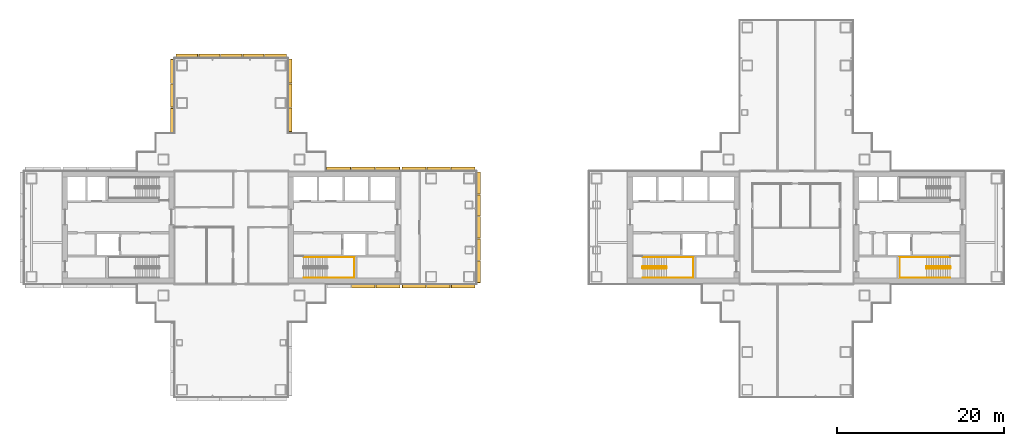
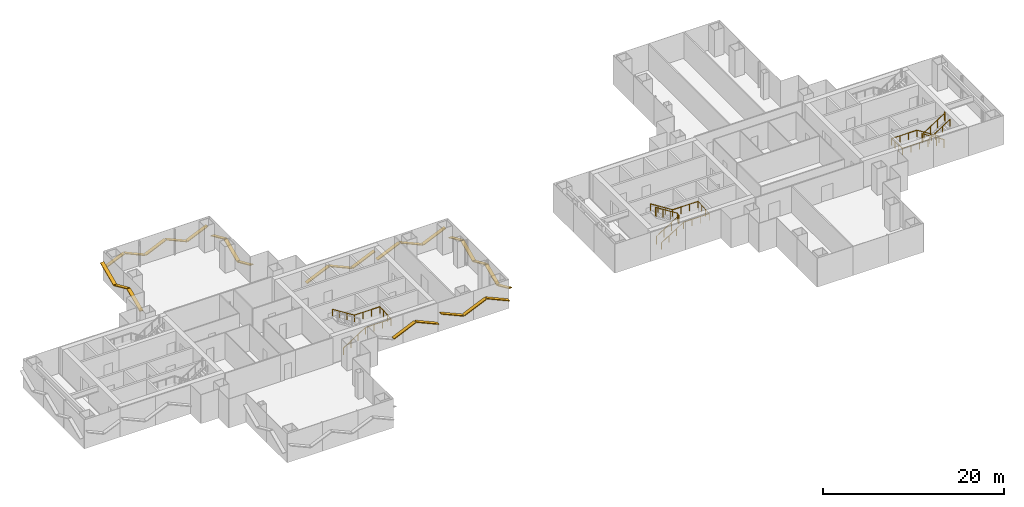
# One storey, part 17 of 18: 27 shading devices, 5 railings.
"""IFC4 building model written with IfcOpenShell, lengths in metres."""

from ifc_helpers import new_model, si_unit, direction, frame, origin, origin_2d, place, context, subcontext, project, spatial, rectangle, circle, extrude, material, material_profile, profile_set, type_object, element, save


model = new_model("IFC4")

# Units and contexts
model_context = context("Model", 3, precision=1e-05, world=origin(), true_north=direction((0.0, 1.0)))
body_context = subcontext(model_context, "Body", "Model", "MODEL_VIEW")
ifc_project = project(units=[si_unit("LENGTHUNIT", "METRE"), si_unit("AREAUNIT", "SQUARE_METRE"), si_unit("VOLUMEUNIT", "CUBIC_METRE"), si_unit("PLANEANGLEUNIT", "RADIAN"), si_unit("MASSUNIT", "GRAM", prefix="KILO")], contexts=[model_context])

# Site, building, storey
site_placement = place(None, origin())
site = spatial("IfcSite", under=ifc_project, at=site_placement, CompositionType="ELEMENT")
building_placement = place(site_placement, origin())
building = spatial("IfcBuilding", under=site, at=building_placement, Name="Shamsa Quay Exchange Towers", CompositionType="ELEMENT")
storey_placement = place(building_placement, frame((0.0, 0.0, 113.10009765625)))
storey = spatial("IfcBuildingStorey", under=building, at=storey_placement, Name="L26", CompositionType="ELEMENT", Elevation=113.10009765625)

# Shading devices
ifc_material_1 = material(Name="Aluminium EN AW-6063 T6, black anodised", Category="aluminium")
ifc_material_profile = material_profile(ifc_material_1, rectangle(XDim=0.449951171875, YDim=0.10009765625, at=origin_2d()), Name="FIN450x100")
ifc_profile_set = profile_set([ifc_material_profile], Name="Aluminium EN AW-6063 T6, black anodised")
shading_device_type = type_object("IfcShadingDeviceType", Name="FIN 450x100 BLACK ALUMINIUM", PredefinedType="USERDEFINED", material=ifc_profile_set)
shading_device_1_placement = place(storey_placement, frame((-19.374755859375, -7.01904296875, 0.9794921875), z_axis=(0.913550687431, 0.0, 0.406724896576), x_axis=(0.0, 1.0, 0.0)))
element("IfcShadingDevice", 1, at=shading_device_1_placement, inside=storey, type_object=shading_device_type, Name="FIN T1 chevron rib", ObjectType="FIN", PredefinedType="USERDEFINED", context=body_context, shape_type="SweptSolid", body=[
    extrude(rectangle(XDim=0.449951171875, YDim=0.10009765625, at=origin_2d()), origin(), (0.0, 0.0, 1.0), 3.051025390625),
])
shading_device_2_placement = place(storey_placement, frame((-16.4873046875, -7.01904296875, 2.2314453125), z_axis=(0.913558535862, 0.0, -0.406707267643), x_axis=(0.0, 1.0, 0.0)))
element("IfcShadingDevice", 2, at=shading_device_2_placement, inside=storey, type_object=shading_device_type, Name="FIN T1 chevron rib", ObjectType="FIN", PredefinedType="USERDEFINED", context=body_context, shape_type="SweptSolid", body=[
    extrude(rectangle(XDim=0.449951171875, YDim=0.10009765625, at=origin_2d()), origin(), (0.0, 0.0, 1.0), 3.10595703125),
])
shading_device_3_placement = place(storey_placement, frame((-13.35009765625, -7.014892578125, 2.234375), z_axis=(0.913533816972, 0.0, -0.406762787444), x_axis=(0.0, 1.0, 0.0)))
element("IfcShadingDevice", 3, at=shading_device_3_placement, inside=storey, type_object=shading_device_type, Name="FIN T1 chevron rib", ObjectType="FIN", PredefinedType="USERDEFINED", context=body_context, shape_type="SweptSolid", body=[
    extrude(rectangle(XDim=0.449951171875, YDim=0.10009765625, at=origin_2d()), origin(), (0.0, 0.0, 1.0), 3.119873046875),
])
shading_device_4_placement = place(storey_placement, frame((-10.39990234375, -7.014892578125, 0.9765625), z_axis=(0.913541981537, 0.0, 0.406744450447), x_axis=(0.0, 1.0, 0.0)))
element("IfcShadingDevice", 4, at=shading_device_4_placement, inside=storey, type_object=shading_device_type, Name="FIN T1 chevron rib", ObjectType="FIN", PredefinedType="USERDEFINED", context=body_context, shape_type="SweptSolid", body=[
    extrude(rectangle(XDim=0.449951171875, YDim=0.10009765625, at=origin_2d()), origin(), (0.0, 0.0, 1.0), 3.064697265625),
])
shading_device_5_placement = place(storey_placement, frame((-7.5, -7.014892578125, 2.234375), z_axis=(0.913533816972, 0.0, -0.406762787444), x_axis=(0.0, 1.0, 0.0)))
element("IfcShadingDevice", 5, at=shading_device_5_placement, inside=storey, type_object=shading_device_type, Name="FIN T1 chevron rib", ObjectType="FIN", PredefinedType="USERDEFINED", context=body_context, shape_type="SweptSolid", body=[
    extrude(rectangle(XDim=0.449951171875, YDim=0.10009765625, at=origin_2d()), origin(), (0.0, 0.0, 1.0), 3.119873046875),
])
shading_device_6_placement = place(storey_placement, frame((-4.235107421875, -6.60009765625, 2.176513671875), z_axis=(0.0, 0.91355925163, -0.406705659859), x_axis=(-1.0, 0.0, 0.0)))
element("IfcShadingDevice", 6, at=shading_device_6_placement, inside=storey, type_object=shading_device_type, Name="FIN T1 chevron rib", ObjectType="FIN", PredefinedType="USERDEFINED", context=body_context, shape_type="SweptSolid", body=[
    extrude(rectangle(XDim=0.449951171875, YDim=0.10009765625, at=origin_2d()), origin(), (0.0, 0.0, 1.0), 2.835205078125),
])
shading_device_7_placement = place(storey_placement, frame((-4.235107421875, -3.909912109375, 1.034423828125), z_axis=(0.0, 0.913536125794, 0.406757602103), x_axis=(-1.0, 0.0, 0.0)))
element("IfcShadingDevice", 7, at=shading_device_7_placement, inside=storey, type_object=shading_device_type, Name="FIN T1 chevron rib", ObjectType="FIN", PredefinedType="USERDEFINED", context=body_context, shape_type="SweptSolid", body=[
    extrude(rectangle(XDim=0.449951171875, YDim=0.10009765625, at=origin_2d()), origin(), (0.0, 0.0, 1.0), 2.7802734375),
])
shading_device_8_placement = place(storey_placement, frame((-4.235107421875, -1.27001953125, 2.165283203125), z_axis=(0.0, 0.913550653139, -0.4067249736), x_axis=(-1.0, 0.0, 0.0)))
element("IfcShadingDevice", 8, at=shading_device_8_placement, inside=storey, type_object=shading_device_type, Name="FIN T1 chevron rib", ObjectType="FIN", PredefinedType="USERDEFINED", context=body_context, shape_type="SweptSolid", body=[
    extrude(rectangle(XDim=0.449951171875, YDim=0.10009765625, at=origin_2d()), origin(), (0.0, 0.0, 1.0), 2.780517578125),
])
shading_device_9_placement = place(storey_placement, frame((-4.235107421875, 1.3701171875, 1.034423828125), z_axis=(0.0, 0.913536125794, 0.406757602103), x_axis=(-1.0, 0.0, 0.0)))
element("IfcShadingDevice", 9, at=shading_device_9_placement, inside=storey, type_object=shading_device_type, Name="FIN T1 chevron rib", ObjectType="FIN", PredefinedType="USERDEFINED", context=body_context, shape_type="SweptSolid", body=[
    extrude(rectangle(XDim=0.449951171875, YDim=0.10009765625, at=origin_2d()), origin(), (0.0, 0.0, 1.0), 2.7802734375),
])
shading_device_10_placement = place(storey_placement, frame((-4.235107421875, 4.010009765625, 2.176513671875), z_axis=(0.0, 0.91355925163, -0.406705659859), x_axis=(-1.0, 0.0, 0.0)))
element("IfcShadingDevice", 10, at=shading_device_10_placement, inside=storey, type_object=shading_device_type, Name="FIN T1 chevron rib", ObjectType="FIN", PredefinedType="USERDEFINED", context=body_context, shape_type="SweptSolid", body=[
    extrude(rectangle(XDim=0.449951171875, YDim=0.10009765625, at=origin_2d()), origin(), (0.0, 0.0, 1.0), 2.835205078125),
])
shading_device_11_placement = place(storey_placement, frame((-4.64990234375, 7.014892578125, 2.234375), z_axis=(-0.913533816972, 0.0, -0.406762787444), x_axis=(0.0, -1.0, 0.0)))
element("IfcShadingDevice", 11, at=shading_device_11_placement, inside=storey, type_object=shading_device_type, Name="FIN T1 chevron rib", ObjectType="FIN", PredefinedType="USERDEFINED", context=body_context, shape_type="SweptSolid", body=[
    extrude(rectangle(XDim=0.449951171875, YDim=0.10009765625, at=origin_2d()), origin(), (0.0, 0.0, 1.0), 3.119873046875),
])
shading_device_12_placement = place(storey_placement, frame((-7.60009765625, 7.014892578125, 0.9765625), z_axis=(-0.913541981537, 0.0, 0.406744450447), x_axis=(0.0, -1.0, 0.0)))
element("IfcShadingDevice", 12, at=shading_device_12_placement, inside=storey, type_object=shading_device_type, Name="FIN T1 chevron rib", ObjectType="FIN", PredefinedType="USERDEFINED", context=body_context, shape_type="SweptSolid", body=[
    extrude(rectangle(XDim=0.449951171875, YDim=0.10009765625, at=origin_2d()), origin(), (0.0, 0.0, 1.0), 3.064697265625),
])
for number, where, z_axis, x_axis, name in (
    (13, (-10.5, 7.014892578125, 2.234375), (-0.913533816972, 0.0, -0.406762787444), (0.0, -1.0, 0.0), "FIN T1 chevron rib"),
    (14, (-13.64990234375, 7.01904296875, 2.234375), (-0.913533816972, 0.0, -0.406762787444), (0.0, -1.0, 0.0), "FIN T1 chevron rib"),
):
    element("IfcShadingDevice", number, at=place(storey_placement, frame(where, z_axis=z_axis, x_axis=x_axis)), inside=storey, type_object=shading_device_type, Name=name, ObjectType="FIN", PredefinedType="USERDEFINED", context=body_context, shape_type="SweptSolid", body=[
        extrude(rectangle(XDim=0.449951171875, YDim=0.10009765625, at=origin_2d()), origin(), (0.0, 0.0, 1.0), 3.119873046875),
    ])
shading_device_13_placement = place(storey_placement, frame((-16.60009765625, 7.01904296875, 0.9765625), z_axis=(-0.913541981537, 0.0, 0.406744450447), x_axis=(0.0, -1.0, 0.0)))
element("IfcShadingDevice", 15, at=shading_device_13_placement, inside=storey, type_object=shading_device_type, Name="FIN T1 chevron rib", ObjectType="FIN", PredefinedType="USERDEFINED", context=body_context, shape_type="SweptSolid", body=[
    extrude(rectangle(XDim=0.449951171875, YDim=0.10009765625, at=origin_2d()), origin(), (0.0, 0.0, 1.0), 3.064697265625),
])
shading_device_14_placement = place(storey_placement, frame((-19.5, 7.01904296875, 2.234375), z_axis=(-0.913533816972, 0.0, -0.406762787444), x_axis=(0.0, -1.0, 0.0)))
element("IfcShadingDevice", 16, at=shading_device_14_placement, inside=storey, type_object=shading_device_type, Name="FIN T1 chevron rib", ObjectType="FIN", PredefinedType="USERDEFINED", context=body_context, shape_type="SweptSolid", body=[
    extrude(rectangle(XDim=0.449951171875, YDim=0.10009765625, at=origin_2d()), origin(), (0.0, 0.0, 1.0), 3.119873046875),
])
shading_device_15_placement = place(storey_placement, frame((-26.735107421875, 11.43798828125, 2.2314453125), z_axis=(0.0, 0.913558535862, -0.406707267643), x_axis=(-1.0, 0.0, 0.0)))
element("IfcShadingDevice", 17, at=shading_device_15_placement, inside=storey, type_object=shading_device_type, Name="FIN T1 chevron rib", ObjectType="FIN", PredefinedType="USERDEFINED", context=body_context, shape_type="SweptSolid", body=[
    extrude(rectangle(XDim=0.449951171875, YDim=0.10009765625, at=origin_2d()), origin(), (0.0, 0.0, 1.0), 3.10595703125),
])
shading_device_16_placement = place(storey_placement, frame((-26.735107421875, 14.375244140625, 0.9794921875), z_axis=(0.0, 0.913550687431, 0.406724896576), x_axis=(-1.0, 0.0, 0.0)))
element("IfcShadingDevice", 18, at=shading_device_16_placement, inside=storey, type_object=shading_device_type, Name="FIN T1 chevron rib", ObjectType="FIN", PredefinedType="USERDEFINED", context=body_context, shape_type="SweptSolid", body=[
    extrude(rectangle(XDim=0.449951171875, YDim=0.10009765625, at=origin_2d()), origin(), (0.0, 0.0, 1.0), 3.051025390625),
])
shading_device_17_placement = place(storey_placement, frame((-26.735107421875, 17.2626953125, 2.2314453125), z_axis=(0.0, 0.913558535862, -0.406707267643), x_axis=(-1.0, 0.0, 0.0)))
element("IfcShadingDevice", 19, at=shading_device_17_placement, inside=storey, type_object=shading_device_type, Name="FIN T1 chevron rib", ObjectType="FIN", PredefinedType="USERDEFINED", context=body_context, shape_type="SweptSolid", body=[
    extrude(rectangle(XDim=0.449951171875, YDim=0.10009765625, at=origin_2d()), origin(), (0.0, 0.0, 1.0), 3.10595703125),
])
shading_device_18_placement = place(storey_placement, frame((-27.14990234375, 20.514892578125, 2.176513671875), z_axis=(-0.91355925163, 0.0, -0.406705659859), x_axis=(0.0, -1.0, 0.0)))
element("IfcShadingDevice", 20, at=shading_device_18_placement, inside=storey, type_object=shading_device_type, Name="FIN T1 chevron rib", ObjectType="FIN", PredefinedType="USERDEFINED", context=body_context, shape_type="SweptSolid", body=[
    extrude(rectangle(XDim=0.449951171875, YDim=0.10009765625, at=origin_2d()), origin(), (0.0, 0.0, 1.0), 2.835205078125),
])
shading_device_19_placement = place(storey_placement, frame((-29.840087890625, 20.514892578125, 1.034423828125), z_axis=(-0.913536125794, 0.0, 0.406757602103), x_axis=(0.0, -1.0, 0.0)))
element("IfcShadingDevice", 21, at=shading_device_19_placement, inside=storey, type_object=shading_device_type, Name="FIN T1 chevron rib", ObjectType="FIN", PredefinedType="USERDEFINED", context=body_context, shape_type="SweptSolid", body=[
    extrude(rectangle(XDim=0.449951171875, YDim=0.10009765625, at=origin_2d()), origin(), (0.0, 0.0, 1.0), 2.7802734375),
])
shading_device_20_placement = place(storey_placement, frame((-32.47998046875, 20.514892578125, 2.165283203125), z_axis=(-0.913550653139, 0.0, -0.4067249736), x_axis=(0.0, -1.0, 0.0)))
element("IfcShadingDevice", 22, at=shading_device_20_placement, inside=storey, type_object=shading_device_type, Name="FIN T1 chevron rib", ObjectType="FIN", PredefinedType="USERDEFINED", context=body_context, shape_type="SweptSolid", body=[
    extrude(rectangle(XDim=0.449951171875, YDim=0.10009765625, at=origin_2d()), origin(), (0.0, 0.0, 1.0), 2.780517578125),
])
shading_device_21_placement = place(storey_placement, frame((-35.1201171875, 20.514892578125, 1.034423828125), z_axis=(-0.913536125794, 0.0, 0.406757602103), x_axis=(0.0, -1.0, 0.0)))
element("IfcShadingDevice", 23, at=shading_device_21_placement, inside=storey, type_object=shading_device_type, Name="FIN T1 chevron rib", ObjectType="FIN", PredefinedType="USERDEFINED", context=body_context, shape_type="SweptSolid", body=[
    extrude(rectangle(XDim=0.449951171875, YDim=0.10009765625, at=origin_2d()), origin(), (0.0, 0.0, 1.0), 2.7802734375),
])
shading_device_22_placement = place(storey_placement, frame((-37.760009765625, 20.514892578125, 2.176513671875), z_axis=(-0.91355925163, 0.0, -0.406705659859), x_axis=(0.0, -1.0, 0.0)))
element("IfcShadingDevice", 24, at=shading_device_22_placement, inside=storey, type_object=shading_device_type, Name="FIN T1 chevron rib", ObjectType="FIN", PredefinedType="USERDEFINED", context=body_context, shape_type="SweptSolid", body=[
    extrude(rectangle(XDim=0.449951171875, YDim=0.10009765625, at=origin_2d()), origin(), (0.0, 0.0, 1.0), 2.835205078125),
])
shading_device_23_placement = place(storey_placement, frame((-40.764892578125, 20.10009765625, 2.234375), z_axis=(0.0, -0.913533816972, -0.406762787444), x_axis=(1.0, 0.0, 0.0)))
element("IfcShadingDevice", 25, at=shading_device_23_placement, inside=storey, type_object=shading_device_type, Name="FIN T1 chevron rib", ObjectType="FIN", PredefinedType="USERDEFINED", context=body_context, shape_type="SweptSolid", body=[
    extrude(rectangle(XDim=0.449951171875, YDim=0.10009765625, at=origin_2d()), origin(), (0.0, 0.0, 1.0), 3.119873046875),
])
shading_device_24_placement = place(storey_placement, frame((-40.764892578125, 17.14990234375, 0.9765625), z_axis=(0.0, -0.913541981537, 0.406744450447), x_axis=(1.0, 0.0, 0.0)))
element("IfcShadingDevice", 26, at=shading_device_24_placement, inside=storey, type_object=shading_device_type, Name="FIN T1 chevron rib", ObjectType="FIN", PredefinedType="USERDEFINED", context=body_context, shape_type="SweptSolid", body=[
    extrude(rectangle(XDim=0.449951171875, YDim=0.10009765625, at=origin_2d()), origin(), (0.0, 0.0, 1.0), 3.064697265625),
])
shading_device_25_placement = place(storey_placement, frame((-40.764892578125, 14.25, 2.234375), z_axis=(0.0, -0.913533816972, -0.406762787444), x_axis=(1.0, 0.0, 0.0)))
element("IfcShadingDevice", 27, at=shading_device_25_placement, inside=storey, type_object=shading_device_type, Name="FIN T1 chevron rib", ObjectType="FIN", PredefinedType="USERDEFINED", context=body_context, shape_type="SweptSolid", body=[
    extrude(rectangle(XDim=0.449951171875, YDim=0.10009765625, at=origin_2d()), origin(), (0.0, 0.0, 1.0), 3.119873046875),
])

# Railings
ifc_material_2 = material(Name="Stainless steel", Category="steel")
railing_type_1 = type_object("IfcRailingType", Name="STAIR GUARD 1100", PredefinedType="GUARDRAIL", material=ifc_material_2)
railing_1_placement = place(storey_placement, frame((15.39990234375, -4.89990234375, 0.17724609375)))
element("IfcRailing", 28, at=railing_1_placement, inside=storey, type_object=railing_type_1, Name="L26 ST4 stair guard 1", PredefinedType="GUARDRAIL", context=body_context, shape_type="SweptSolid", body=[
    extrude(circle(Radius=0.02392578125, at=origin_2d()), frame((0.0, 0.0, 1.076171875), z_axis=(0.844908973607, 0.0, 0.534910110503), x_axis=(0.0, 1.0, 0.0)), (0.0, 0.0, 1.0), 3.31396484375),
    extrude(circle(Radius=0.02392578125, at=origin_2d()), frame((2.800048828125, 0.0, 2.8486328125), z_axis=(0.708833529934, 0.705375805398, 0.0), x_axis=(-0.705375805398, 0.708833529934, 0.0)), (0.0, 0.0, 1.0), 0.070556640625),
    extrude(circle(Radius=0.02392578125, at=origin_2d()), frame((2.85009765625, 0.0498046875, 2.8486328125), z_axis=(0.0, 1.0, 0.0), x_axis=(-1.0, 0.0, 0.0)), (0.0, 0.0, 1.0), 0.150146484375),
    extrude(circle(Radius=0.02392578125, at=origin_2d()), frame((2.85009765625, 0.199951171875, 2.8486328125), z_axis=(-0.262233686654, 0.262233686654, 0.928691007369), x_axis=(-0.707106781187, -0.707106781187, 0.0)), (0.0, 0.0, 1.0), 0.19091796875),
    extrude(circle(Radius=0.02392578125, at=origin_2d()), frame((2.800048828125, 0.25, 3.02587890625), z_axis=(-0.844908973607, 0.0, 0.534910110503), x_axis=(0.0, -1.0, 0.0)), (0.0, 0.0, 1.0), 3.31396484375),
    extrude(circle(Radius=0.02392578125, at=origin_2d()), frame((0.0, 0.25, 4.798828125), z_axis=(-0.24142163986, -0.970420317083, 0.0), x_axis=(0.970420317083, -0.24142163986, 0.0)), (0.0, 0.0, 1.0), 0.206298828125),
    extrude(circle(Radius=0.02392578125, at=origin_2d()), frame((-0.0498046875, 0.0498046875, 4.798828125), z_axis=(0.0, 1.0, 0.0), x_axis=(-1.0, 0.0, 0.0)), (0.0, 0.0, 1.0), 0.150146484375),
    extrude(circle(Radius=0.02099609375, at=origin_2d()), origin(), (0.0, 0.0, 1.0), 1.052001953125),
    extrude(circle(Radius=0.02099609375, at=origin_2d()), frame((0.933349609375, 0.0, 0.5908203125)), (0.0, 0.0, 1.0), 1.052001953125),
    extrude(circle(Radius=0.02099609375, at=origin_2d()), frame((1.86669921875, 0.0, 1.181884765625)), (0.0, 0.0, 1.0), 1.052001953125),
    extrude(circle(Radius=0.02099609375, at=origin_2d()), frame((2.800048828125, 0.0, 1.772705078125)), (0.0, 0.0, 1.0), 1.052001953125),
    extrude(circle(Radius=0.02099609375, at=origin_2d()), frame((2.85009765625, 0.0498046875, 1.772705078125)), (0.0, 0.0, 1.0), 1.052001953125),
    extrude(circle(Radius=0.02099609375, at=origin_2d()), frame((2.85009765625, 0.199951171875, 1.772705078125)), (0.0, 0.0, 1.0), 1.052001953125),
    extrude(circle(Radius=0.02099609375, at=origin_2d()), frame((2.800048828125, 0.25, 1.949951171875)), (0.0, 0.0, 1.0), 1.052001953125),
    extrude(circle(Radius=0.02099609375, at=origin_2d()), frame((1.86669921875, 0.25, 2.540771484375)), (0.0, 0.0, 1.0), 1.052001953125),
    extrude(circle(Radius=0.02099609375, at=origin_2d()), frame((0.933349609375, 0.25, 3.1318359375)), (0.0, 0.0, 1.0), 1.052001953125),
    extrude(circle(Radius=0.02099609375, at=origin_2d()), frame((0.0, 0.25, 3.72265625)), (0.0, 0.0, 1.0), 1.052001953125),
    extrude(circle(Radius=0.02099609375, at=origin_2d()), frame((-0.0498046875, 0.0498046875, 3.72265625)), (0.0, 0.0, 1.0), 1.052001953125),
    extrude(circle(Radius=0.02099609375, at=origin_2d()), frame((-0.0498046875, 0.199951171875, 3.72265625)), (0.0, 0.0, 1.0), 1.052001953125),
])
railing_2_placement = place(storey_placement, frame((52.10009765625, -4.64990234375, 0.17724609375)))
element("IfcRailing", 29, at=railing_2_placement, inside=storey, type_object=railing_type_1, Name="L26 ST5 stair guard 1", PredefinedType="GUARDRAIL", context=body_context, shape_type="SweptSolid", body=[
    extrude(circle(Radius=0.02392578125, at=origin_2d()), frame((0.0, 0.0, 1.076171875), z_axis=(-0.844908973607, 0.0, 0.534910110503), x_axis=(0.0, -1.0, 0.0)), (0.0, 0.0, 1.0), 3.31396484375),
    extrude(circle(Radius=0.02392578125, at=origin_2d()), frame((-2.800048828125, 0.0, 2.8486328125), z_axis=(-0.707106781187, -0.707106781187, 0.0), x_axis=(0.707106781187, -0.707106781187, 0.0)), (0.0, 0.0, 1.0), 0.07080078125),
    extrude(circle(Radius=0.02392578125, at=origin_2d()), frame((-2.85009765625, -0.050048828125, 2.8486328125), z_axis=(0.0, -1.0, 0.0), x_axis=(1.0, 0.0, 0.0)), (0.0, 0.0, 1.0), 0.150146484375),
    extrude(circle(Radius=0.02392578125, at=origin_2d()), frame((-2.85009765625, -0.2001953125, 2.8486328125), z_axis=(0.262321481514, -0.261041864531, 0.929001929653), x_axis=(0.705375805398, 0.708833529934, 0.0)), (0.0, 0.0, 1.0), 0.190673828125),
    extrude(circle(Radius=0.02392578125, at=origin_2d()), frame((-2.800048828125, -0.25, 3.02587890625), z_axis=(0.844908973607, 0.0, 0.534910110503), x_axis=(0.0, 1.0, 0.0)), (0.0, 0.0, 1.0), 3.31396484375),
    extrude(circle(Radius=0.02392578125, at=origin_2d()), frame((0.0, -0.25, 4.798828125), z_axis=(0.241699205484, 0.970351222016, 0.0), x_axis=(-0.970351222016, 0.241699205484, 0.0)), (0.0, 0.0, 1.0), 0.2060546875),
    extrude(circle(Radius=0.02392578125, at=origin_2d()), frame((0.0498046875, -0.050048828125, 4.798828125), z_axis=(0.0, -1.0, 0.0), x_axis=(1.0, 0.0, 0.0)), (0.0, 0.0, 1.0), 0.150146484375),
    extrude(circle(Radius=0.02099609375, at=origin_2d()), origin(), (0.0, 0.0, 1.0), 1.052001953125),
    extrude(circle(Radius=0.02099609375, at=origin_2d()), frame((-0.933349609375, 0.0, 0.5908203125)), (0.0, 0.0, 1.0), 1.052001953125),
    extrude(circle(Radius=0.02099609375, at=origin_2d()), frame((-1.86669921875, 0.0, 1.181884765625)), (0.0, 0.0, 1.0), 1.052001953125),
    extrude(circle(Radius=0.02099609375, at=origin_2d()), frame((-2.800048828125, 0.0, 1.772705078125)), (0.0, 0.0, 1.0), 1.052001953125),
    extrude(circle(Radius=0.02099609375, at=origin_2d()), frame((-2.85009765625, -0.050048828125, 1.772705078125)), (0.0, 0.0, 1.0), 1.052001953125),
    extrude(circle(Radius=0.02099609375, at=origin_2d()), frame((-2.85009765625, -0.2001953125, 1.772705078125)), (0.0, 0.0, 1.0), 1.052001953125),
    extrude(circle(Radius=0.02099609375, at=origin_2d()), frame((-2.800048828125, -0.25, 1.949951171875)), (0.0, 0.0, 1.0), 1.052001953125),
    extrude(circle(Radius=0.02099609375, at=origin_2d()), frame((-1.86669921875, -0.25, 2.540771484375)), (0.0, 0.0, 1.0), 1.052001953125),
    extrude(circle(Radius=0.02099609375, at=origin_2d()), frame((-0.933349609375, -0.25, 3.1318359375)), (0.0, 0.0, 1.0), 1.052001953125),
    extrude(circle(Radius=0.02099609375, at=origin_2d()), frame((0.0, -0.25, 3.72265625)), (0.0, 0.0, 1.0), 1.052001953125),
    extrude(circle(Radius=0.02099609375, at=origin_2d()), frame((0.0498046875, -0.050048828125, 3.72265625)), (0.0, 0.0, 1.0), 1.052001953125),
    extrude(circle(Radius=0.02099609375, at=origin_2d()), frame((0.0498046875, -0.2001953125, 3.72265625)), (0.0, 0.0, 1.0), 1.052001953125),
])
railing_type_2 = type_object("IfcRailingType", Name="STAIR HANDRAIL 900", PredefinedType="HANDRAIL", material=ifc_material_2)
railing_3_placement = place(storey_placement, frame((-25.10009765625, -6.0, 0.17724609375)))
element("IfcRailing", 30, at=railing_3_placement, inside=storey, type_object=railing_type_2, Name="L26 ST1 stair handrail 1", PredefinedType="HANDRAIL", context=body_context, shape_type="SweptSolid", body=[
    extrude(circle(Radius=0.02392578125, at=origin_2d()), frame((0.0, 0.0, 0.8759765625), z_axis=(0.844908973607, 0.0, 0.534910110503), x_axis=(0.0, 1.0, 0.0)), (0.0, 0.0, 1.0), 3.31396484375),
    extrude(circle(Radius=0.02392578125, at=origin_2d()), frame((2.800048828125, 0.0, 2.6484375), z_axis=(1.0, 0.0, 0.0), x_axis=(0.0, 1.0, 0.0)), (0.0, 0.0, 1.0), 3.25),
    extrude(circle(Radius=0.02392578125, at=origin_2d()), frame((6.050048828125, 0.0, 2.6484375), z_axis=(0.0, 0.997393199914, 0.07215819264), x_axis=(-1.0, 0.0, 0.0)), (0.0, 0.0, 1.0), 2.456298828125),
    extrude(circle(Radius=0.02392578125, at=origin_2d()), frame((6.050048828125, 2.449951171875, 2.82568359375), z_axis=(-1.0, 0.0, 0.0), x_axis=(0.0, -1.0, 0.0)), (0.0, 0.0, 1.0), 3.25),
    extrude(circle(Radius=0.02392578125, at=origin_2d()), frame((2.800048828125, 2.449951171875, 2.82568359375), z_axis=(-0.844908973607, 0.0, 0.534910110503), x_axis=(0.0, -1.0, 0.0)), (0.0, 0.0, 1.0), 3.31396484375),
    extrude(circle(Radius=0.02099609375, at=origin_2d()), origin(), (0.0, 0.0, 1.0), 0.851806640625),
    extrude(circle(Radius=0.02099609375, at=origin_2d()), frame((0.933349609375, 0.0, 0.5908203125)), (0.0, 0.0, 1.0), 0.851806640625),
    extrude(circle(Radius=0.02099609375, at=origin_2d()), frame((1.86669921875, 0.0, 1.181884765625)), (0.0, 0.0, 1.0), 0.851806640625),
    extrude(circle(Radius=0.02099609375, at=origin_2d()), frame((2.800048828125, 0.0, 1.772705078125)), (0.0, 0.0, 1.0), 0.851806640625),
    extrude(circle(Radius=0.02099609375, at=origin_2d()), frame((3.88330078125, 0.0, 1.772705078125)), (0.0, 0.0, 1.0), 0.851806640625),
    extrude(circle(Radius=0.02099609375, at=origin_2d()), frame((4.966796875, 0.0, 1.772705078125)), (0.0, 0.0, 1.0), 0.851806640625),
    extrude(circle(Radius=0.02099609375, at=origin_2d()), frame((6.050048828125, 0.0, 1.772705078125)), (0.0, 0.0, 1.0), 0.851806640625),
    extrude(circle(Radius=0.02099609375, at=origin_2d()), frame((6.050048828125, 0.816650390625, 1.831787109375)), (0.0, 0.0, 1.0), 0.851806640625),
    extrude(circle(Radius=0.02099609375, at=origin_2d()), frame((6.050048828125, 1.63330078125, 1.890869140625)), (0.0, 0.0, 1.0), 0.851806640625),
    extrude(circle(Radius=0.02099609375, at=origin_2d()), frame((6.050048828125, 2.449951171875, 1.949951171875)), (0.0, 0.0, 1.0), 0.851806640625),
    extrude(circle(Radius=0.02099609375, at=origin_2d()), frame((4.966796875, 2.449951171875, 1.949951171875)), (0.0, 0.0, 1.0), 0.851806640625),
    extrude(circle(Radius=0.02099609375, at=origin_2d()), frame((3.88330078125, 2.449951171875, 1.949951171875)), (0.0, 0.0, 1.0), 0.851806640625),
    extrude(circle(Radius=0.02099609375, at=origin_2d()), frame((2.800048828125, 2.449951171875, 1.949951171875)), (0.0, 0.0, 1.0), 0.851806640625),
    extrude(circle(Radius=0.02099609375, at=origin_2d()), frame((1.86669921875, 2.449951171875, 2.540771484375)), (0.0, 0.0, 1.0), 0.851806640625),
    extrude(circle(Radius=0.02099609375, at=origin_2d()), frame((0.933349609375, 2.449951171875, 3.1318359375)), (0.0, 0.0, 1.0), 0.851806640625),
    extrude(circle(Radius=0.02099609375, at=origin_2d()), frame((0.0, 2.449951171875, 3.72265625)), (0.0, 0.0, 1.0), 0.851806640625),
])
railing_4_placement = place(storey_placement, frame((15.39990234375, -6.0, 0.17724609375)))
element("IfcRailing", 31, at=railing_4_placement, inside=storey, type_object=railing_type_2, Name="L26 ST4 stair handrail 1", PredefinedType="HANDRAIL", context=body_context, shape_type="SweptSolid", body=[
    extrude(circle(Radius=0.02392578125, at=origin_2d()), frame((0.0, 0.0, 0.8759765625), z_axis=(0.844908973607, 0.0, 0.534910110503), x_axis=(0.0, 1.0, 0.0)), (0.0, 0.0, 1.0), 3.31396484375),
    extrude(circle(Radius=0.02392578125, at=origin_2d()), frame((2.800048828125, 0.0, 2.6484375), z_axis=(1.0, 0.0, 0.0), x_axis=(0.0, 1.0, 0.0)), (0.0, 0.0, 1.0), 3.25),
    extrude(circle(Radius=0.02392578125, at=origin_2d()), frame((6.050048828125, 0.0, 2.6484375), z_axis=(0.0, 0.997393199914, 0.07215819264), x_axis=(-1.0, 0.0, 0.0)), (0.0, 0.0, 1.0), 2.456298828125),
    extrude(circle(Radius=0.02392578125, at=origin_2d()), frame((6.050048828125, 2.449951171875, 2.82568359375), z_axis=(-1.0, 0.0, 0.0), x_axis=(0.0, -1.0, 0.0)), (0.0, 0.0, 1.0), 3.25),
    extrude(circle(Radius=0.02392578125, at=origin_2d()), frame((2.800048828125, 2.449951171875, 2.82568359375), z_axis=(-0.844908973607, 0.0, 0.534910110503), x_axis=(0.0, -1.0, 0.0)), (0.0, 0.0, 1.0), 3.31396484375),
    extrude(circle(Radius=0.02099609375, at=origin_2d()), origin(), (0.0, 0.0, 1.0), 0.851806640625),
    extrude(circle(Radius=0.02099609375, at=origin_2d()), frame((0.933349609375, 0.0, 0.5908203125)), (0.0, 0.0, 1.0), 0.851806640625),
    extrude(circle(Radius=0.02099609375, at=origin_2d()), frame((1.86669921875, 0.0, 1.181884765625)), (0.0, 0.0, 1.0), 0.851806640625),
    extrude(circle(Radius=0.02099609375, at=origin_2d()), frame((2.800048828125, 0.0, 1.772705078125)), (0.0, 0.0, 1.0), 0.851806640625),
    extrude(circle(Radius=0.02099609375, at=origin_2d()), frame((3.88330078125, 0.0, 1.772705078125)), (0.0, 0.0, 1.0), 0.851806640625),
    extrude(circle(Radius=0.02099609375, at=origin_2d()), frame((4.966796875, 0.0, 1.772705078125)), (0.0, 0.0, 1.0), 0.851806640625),
    extrude(circle(Radius=0.02099609375, at=origin_2d()), frame((6.050048828125, 0.0, 1.772705078125)), (0.0, 0.0, 1.0), 0.851806640625),
    extrude(circle(Radius=0.02099609375, at=origin_2d()), frame((6.050048828125, 0.816650390625, 1.831787109375)), (0.0, 0.0, 1.0), 0.851806640625),
    extrude(circle(Radius=0.02099609375, at=origin_2d()), frame((6.050048828125, 1.63330078125, 1.890869140625)), (0.0, 0.0, 1.0), 0.851806640625),
    extrude(circle(Radius=0.02099609375, at=origin_2d()), frame((6.050048828125, 2.449951171875, 1.949951171875)), (0.0, 0.0, 1.0), 0.851806640625),
    extrude(circle(Radius=0.02099609375, at=origin_2d()), frame((4.966796875, 2.449951171875, 1.949951171875)), (0.0, 0.0, 1.0), 0.851806640625),
    extrude(circle(Radius=0.02099609375, at=origin_2d()), frame((3.88330078125, 2.449951171875, 1.949951171875)), (0.0, 0.0, 1.0), 0.851806640625),
    extrude(circle(Radius=0.02099609375, at=origin_2d()), frame((2.800048828125, 2.449951171875, 1.949951171875)), (0.0, 0.0, 1.0), 0.851806640625),
    extrude(circle(Radius=0.02099609375, at=origin_2d()), frame((1.86669921875, 2.449951171875, 2.540771484375)), (0.0, 0.0, 1.0), 0.851806640625),
    extrude(circle(Radius=0.02099609375, at=origin_2d()), frame((0.933349609375, 2.449951171875, 3.1318359375)), (0.0, 0.0, 1.0), 0.851806640625),
    extrude(circle(Radius=0.02099609375, at=origin_2d()), frame((0.0, 2.449951171875, 3.72265625)), (0.0, 0.0, 1.0), 0.851806640625),
])
railing_5_placement = place(storey_placement, frame((52.10009765625, -3.550048828125, 0.17724609375)))
element("IfcRailing", 32, at=railing_5_placement, inside=storey, type_object=railing_type_2, Name="L26 ST5 stair handrail 1", PredefinedType="HANDRAIL", context=body_context, shape_type="SweptSolid", body=[
    extrude(circle(Radius=0.02392578125, at=origin_2d()), frame((0.0, 0.0, 0.8759765625), z_axis=(-0.844908973607, 0.0, 0.534910110503), x_axis=(0.0, -1.0, 0.0)), (0.0, 0.0, 1.0), 3.31396484375),
    extrude(circle(Radius=0.02392578125, at=origin_2d()), frame((-2.800048828125, 0.0, 2.6484375), z_axis=(-1.0, 0.0, 0.0), x_axis=(0.0, -1.0, 0.0)), (0.0, 0.0, 1.0), 3.25),
    extrude(circle(Radius=0.02392578125, at=origin_2d()), frame((-6.050048828125, 0.0, 2.6484375), z_axis=(0.0, -0.997393199914, 0.07215819264), x_axis=(1.0, 0.0, 0.0)), (0.0, 0.0, 1.0), 2.456298828125),
    extrude(circle(Radius=0.02392578125, at=origin_2d()), frame((-6.050048828125, -2.449951171875, 2.82568359375), z_axis=(1.0, 0.0, 0.0), x_axis=(0.0, 1.0, 0.0)), (0.0, 0.0, 1.0), 3.25),
    extrude(circle(Radius=0.02392578125, at=origin_2d()), frame((-2.800048828125, -2.449951171875, 2.82568359375), z_axis=(0.844908973607, 0.0, 0.534910110503), x_axis=(0.0, 1.0, 0.0)), (0.0, 0.0, 1.0), 3.31396484375),
    extrude(circle(Radius=0.02099609375, at=origin_2d()), origin(), (0.0, 0.0, 1.0), 0.851806640625),
    extrude(circle(Radius=0.02099609375, at=origin_2d()), frame((-0.933349609375, 0.0, 0.5908203125)), (0.0, 0.0, 1.0), 0.851806640625),
    extrude(circle(Radius=0.02099609375, at=origin_2d()), frame((-1.86669921875, 0.0, 1.181884765625)), (0.0, 0.0, 1.0), 0.851806640625),
    extrude(circle(Radius=0.02099609375, at=origin_2d()), frame((-2.800048828125, 0.0, 1.772705078125)), (0.0, 0.0, 1.0), 0.851806640625),
    extrude(circle(Radius=0.02099609375, at=origin_2d()), frame((-3.88330078125, 0.0, 1.772705078125)), (0.0, 0.0, 1.0), 0.851806640625),
    extrude(circle(Radius=0.02099609375, at=origin_2d()), frame((-4.966796875, 0.0, 1.772705078125)), (0.0, 0.0, 1.0), 0.851806640625),
    extrude(circle(Radius=0.02099609375, at=origin_2d()), frame((-6.050048828125, 0.0, 1.772705078125)), (0.0, 0.0, 1.0), 0.851806640625),
    extrude(circle(Radius=0.02099609375, at=origin_2d()), frame((-6.050048828125, -0.816650390625, 1.831787109375)), (0.0, 0.0, 1.0), 0.851806640625),
    extrude(circle(Radius=0.02099609375, at=origin_2d()), frame((-6.050048828125, -1.63330078125, 1.890869140625)), (0.0, 0.0, 1.0), 0.851806640625),
    extrude(circle(Radius=0.02099609375, at=origin_2d()), frame((-6.050048828125, -2.449951171875, 1.949951171875)), (0.0, 0.0, 1.0), 0.851806640625),
    extrude(circle(Radius=0.02099609375, at=origin_2d()), frame((-4.966796875, -2.449951171875, 1.949951171875)), (0.0, 0.0, 1.0), 0.851806640625),
    extrude(circle(Radius=0.02099609375, at=origin_2d()), frame((-3.88330078125, -2.449951171875, 1.949951171875)), (0.0, 0.0, 1.0), 0.851806640625),
    extrude(circle(Radius=0.02099609375, at=origin_2d()), frame((-2.800048828125, -2.449951171875, 1.949951171875)), (0.0, 0.0, 1.0), 0.851806640625),
    extrude(circle(Radius=0.02099609375, at=origin_2d()), frame((-1.86669921875, -2.449951171875, 2.540771484375)), (0.0, 0.0, 1.0), 0.851806640625),
    extrude(circle(Radius=0.02099609375, at=origin_2d()), frame((-0.933349609375, -2.449951171875, 3.1318359375)), (0.0, 0.0, 1.0), 0.851806640625),
    extrude(circle(Radius=0.02099609375, at=origin_2d()), frame((0.0, -2.449951171875, 3.72265625)), (0.0, 0.0, 1.0), 0.851806640625),
])

save(model, "model.ifc")
